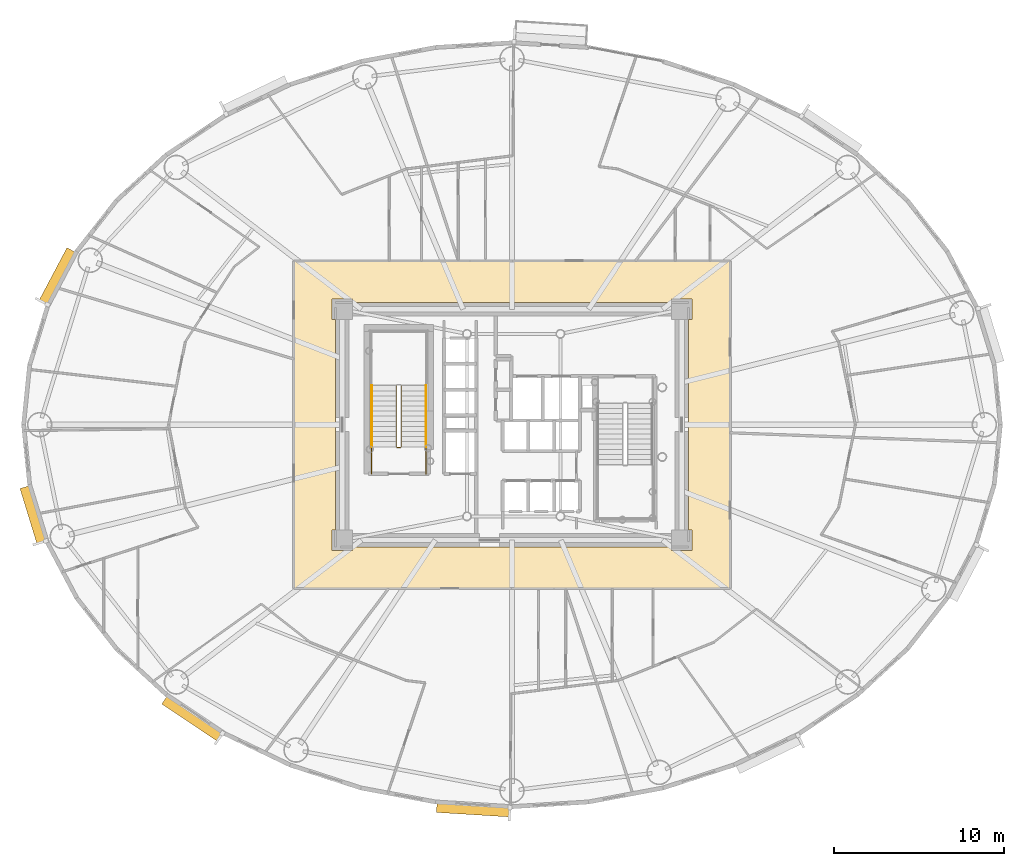
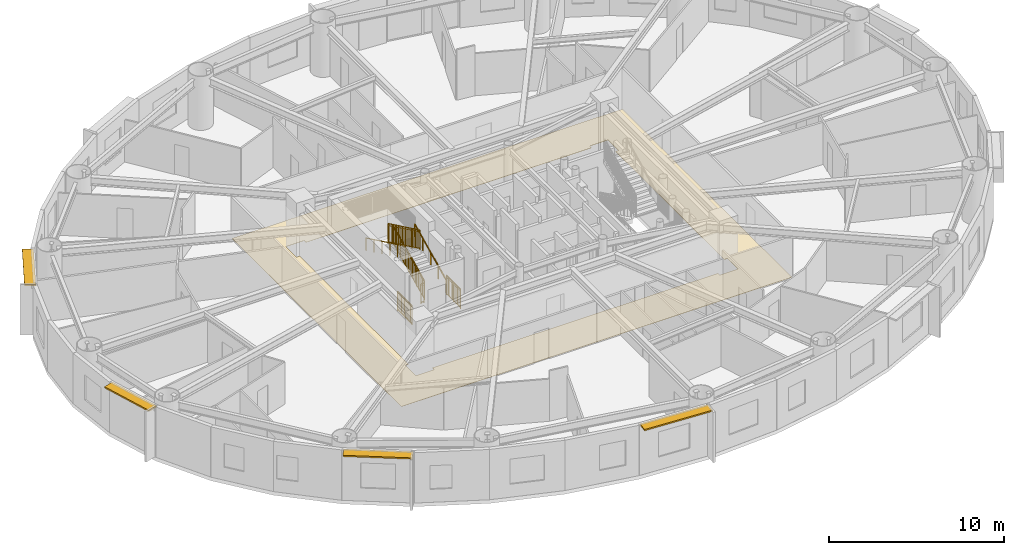
# One storey, part 12 of 16: 7 railings, 4 shading devices, 1 covering.
"""IFC4 building model written with IfcOpenShell, lengths in metres."""

from ifc_helpers import new_model, si_unit, direction, frame, origin, origin_2d, place, context, subcontext, project, spatial, polyline, rectangle, outline, extrude, source, transform, mapped, material, layer, layer_set, type_object, element, save


model = new_model("IFC4")

# Units and contexts
model_context = context("Model", 3, precision=1e-05, world=origin(), true_north=direction((0.0, 1.0)))
body_context = subcontext(model_context, "Body", "Model", "MODEL_VIEW")
ifc_project = project(units=[si_unit("LENGTHUNIT", "METRE"), si_unit("AREAUNIT", "SQUARE_METRE"), si_unit("VOLUMEUNIT", "CUBIC_METRE"), si_unit("PLANEANGLEUNIT", "RADIAN"), si_unit("MASSUNIT", "GRAM", prefix="KILO")], contexts=[model_context])

# Site, building, storey
site_placement = place(None, origin())
site = spatial("IfcSite", under=ifc_project, at=site_placement, CompositionType="ELEMENT")
building_placement = place(site_placement, origin())
building = spatial("IfcBuilding", under=site, at=building_placement, Name="Linh Dai School and Residence Tower", CompositionType="ELEMENT")
storey_placement = place(building_placement, frame((0.0, 0.0, 108.449951171875)))
storey = spatial("IfcBuildingStorey", under=building, at=storey_placement, Name="L25", CompositionType="ELEMENT", Elevation=108.449951171875)

# Covering
ifc_material_1 = material(Name="Polished Terrazzo Floor Finish", Category="masonry")
ifc_layer_1 = layer(ifc_material_1, 0.02490234375)
ifc_layer_set_1 = layer_set([ifc_layer_1], Name="Polished Terrazzo Floor Finish")
covering_type = type_object("IfcCoveringType", Name="COV-FLR-TRZ-25", PredefinedType="FLOORING", material=ifc_layer_set_1)
covering_placement = place(storey_placement, origin())
element("IfcCovering", 1, at=covering_placement, inside=storey, type_object=covering_type, Name="L25 Residential Floor Corridor Floor Finish", PredefinedType="FLOORING", context=body_context, shape_type="SweptSolid", body=[
    extrude(outline(polyline([(48.85009765625, 36.64990234375), (48.85009765625, 17.35009765625), (23.14990234375, 17.35009765625), (23.14990234375, 36.64990234375), (48.85009765625, 36.64990234375)]), holes=[polyline([(26.60009765625, 34.199951171875), (26.60009765625, 34.39990234375), (25.39990234375, 34.39990234375), (25.39990234375, 33.199951171875), (25.60009765625, 33.199951171875), (25.60009765625, 20.800048828125), (25.39990234375, 20.800048828125), (25.39990234375, 19.60009765625), (26.60009765625, 19.60009765625), (26.60009765625, 19.800048828125), (45.39990234375, 19.800048828125), (45.39990234375, 19.60009765625), (46.60009765625, 19.60009765625), (46.60009765625, 20.800048828125), (46.39990234375, 20.800048828125), (46.39990234375, 33.199951171875), (46.60009765625, 33.199951171875), (46.60009765625, 34.39990234375), (45.39990234375, 34.39990234375), (45.39990234375, 34.199951171875), (26.60009765625, 34.199951171875)])]), origin(), (0.0, 0.0, 1.0), 0.02001953125),
])

# Shading devices
ifc_material_2 = material(Name="Terracotta Ceramic Sunshade", Category="masonry")
ifc_layer_2 = layer(ifc_material_2, 0.10009765625)
ifc_layer_set_2 = layer_set([ifc_layer_2], Name="Terracotta Ceramic Sunshade")
shading_device_type = type_object("IfcShadingDeviceType", Name="SHD-TC-650", PredefinedType="USERDEFINED", material=ifc_layer_set_2)
shared_shape_1 = source(origin(), body_context, "Body", "SweptSolid", [
    extrude(rectangle(XDim=3.44384765625, YDim=0.64990234375, at=origin_2d()), origin(), (0.0, 0.0, 1.0), 0.10009765625),
])
shading_device_1_placement = place(storey_placement, frame((7.83154296875, 21.686279296875, 3.3798828125), z_axis=(0.0, 0.0, 1.0), x_axis=(-0.293133528962, 0.956071511028, 0.0)))
element("IfcShadingDevice", 2, at=shading_device_1_placement, inside=storey, type_object=shading_device_type, Name="L25 Terracotta Horizontal Sunshade Band 22", ObjectType="SUNSHADE", PredefinedType="USERDEFINED", context=body_context, shape_type="MappedRepresentation", body=[
    mapped(shared_shape_1, transform((0.0, 0.0, 0.0), x_axis=(1.0, 0.0, 0.0), y_axis=(0.0, 1.0, 0.0), z_axis=(0.0, 0.0, 1.0), scale=1.0)),
])
shared_shape_2 = source(origin(), body_context, "Body", "SweptSolid", [
    extrude(rectangle(XDim=3.96484375, YDim=0.64990234375, at=origin_2d()), origin(), (0.0, 0.0, 1.0), 0.10009765625),
])
shading_device_2_placement = place(storey_placement, frame((17.19970703125, 9.711669921875, 3.3798828125), z_axis=(0.0, 0.0, 1.0), x_axis=(-0.831240347736, 0.555913198527, 0.0)))
element("IfcShadingDevice", 3, at=shading_device_2_placement, inside=storey, type_object=shading_device_type, Name="L25 Terracotta Horizontal Sunshade Band 26", ObjectType="SUNSHADE", PredefinedType="USERDEFINED", context=body_context, shape_type="MappedRepresentation", body=[
    mapped(shared_shape_2, transform((0.0, 0.0, 0.0), x_axis=(1.0, 0.0, 0.0), y_axis=(0.0, 1.0, 0.0), z_axis=(0.0, 0.0, 1.0), scale=1.0)),
])
shared_shape_3 = source(origin(), body_context, "Body", "SweptSolid", [
    extrude(rectangle(XDim=4.33349609375, YDim=0.64990234375, at=origin_2d()), origin(), (0.0, 0.0, 1.0), 0.10009765625),
])
shading_device_3_placement = place(storey_placement, frame((33.729736328125, 4.349365234375, 3.3798828125), z_axis=(0.0, 0.0, 1.0), x_axis=(-0.998106513123, 0.061509255091, 0.0)))
element("IfcShadingDevice", 4, at=shading_device_3_placement, inside=storey, type_object=shading_device_type, Name="L25 Terracotta Horizontal Sunshade Band 30", ObjectType="SUNSHADE", PredefinedType="USERDEFINED", context=body_context, shape_type="MappedRepresentation", body=[
    mapped(shared_shape_3, transform((0.0, 0.0, 0.0), x_axis=(1.0, 0.0, 0.0), y_axis=(0.0, 1.0, 0.0), z_axis=(0.0, 0.0, 1.0), scale=1.0)),
])
shared_shape_4 = source(origin(), body_context, "Body", "SweptSolid", [
    extrude(rectangle(XDim=3.541015625, YDim=0.64990234375, at=origin_2d()), origin(), (0.0, 0.0, 1.0), 0.10009765625),
])
shading_device_4_placement = place(storey_placement, frame((9.240478515625, 35.708740234375, 3.3798828125), z_axis=(0.0, 0.0, 1.0), x_axis=(0.467596217252, 0.883942180016, 0.0)))
element("IfcShadingDevice", 5, at=shading_device_4_placement, inside=storey, type_object=shading_device_type, Name="L25 Terracotta Horizontal Sunshade Band 18", ObjectType="SUNSHADE", PredefinedType="USERDEFINED", context=body_context, shape_type="MappedRepresentation", body=[
    mapped(shared_shape_4, transform((0.0, 0.0, 0.0), x_axis=(1.0, 0.0, 0.0), y_axis=(0.0, 1.0, 0.0), z_axis=(0.0, 0.0, 1.0), scale=1.0)),
])

# Railings
ifc_material_3 = material(Name="Structural Steel S355JR", Category="steel")
railing_type_1 = type_object("IfcRailingType", Name="RL-ST-GUARD-1400", PredefinedType="GUARDRAIL", material=ifc_material_3)
shared_shape_5 = source(origin(), body_context, "Body", "SweptSolid", [
    extrude(rectangle(XDim=0.048095703125, YDim=0.048095703125, at=origin_2d()), frame((0.0, 0.0, 1.3759765625), z_axis=(-1.0, 0.0, 0.0), x_axis=(0.0, -1.0, 0.0)), (0.0, 0.0, 1.0), 0.199951171875),
    extrude(rectangle(XDim=0.048095703125, YDim=0.048095703125, at=origin_2d()), frame((0.0, 0.0, 0.10009765625), z_axis=(-1.0, 0.0, 0.0), x_axis=(0.0, -1.0, 0.0)), (0.0, 0.0, 1.0), 0.199951171875),
    extrude(rectangle(XDim=0.030029296875, YDim=0.030029296875, at=origin_2d()), frame((0.0, 0.0, 1.239990234375), z_axis=(-1.0, 0.0, 0.0), x_axis=(0.0, -1.0, 0.0)), (0.0, 0.0, 1.0), 0.199951171875),
    extrude(rectangle(XDim=0.0419921875, YDim=0.0419921875, at=origin_2d()), origin(), (0.0, 0.0, 1.0), 1.3759765625),
    extrude(rectangle(XDim=0.0419921875, YDim=0.0419921875, at=origin_2d()), frame((-0.199951171875, 0.0, 0.0)), (0.0, 0.0, 1.0), 1.3759765625),
])
railing_1_placement = place(storey_placement, frame((29.429931640625, 25.64990234375, 0.0)))
element("IfcRailing", 6, at=railing_1_placement, inside=storey, type_object=railing_type_1, Name="L25 ST1 stair guard 7", PredefinedType="GUARDRAIL", context=body_context, shape_type="MappedRepresentation", body=[
    mapped(shared_shape_5, transform((0.0, 0.0, 0.0), x_axis=(1.0, 0.0, 0.0), y_axis=(0.0, 1.0, 0.0), z_axis=(0.0, 0.0, 1.0), scale=1.0)),
])
shared_shape_6 = source(origin(), body_context, "Body", "SweptSolid", [
    extrude(rectangle(XDim=0.048095703125, YDim=0.048095703125, at=origin_2d()), frame((0.0, 0.0, 1.3759765625), z_axis=(0.0, 1.0, 0.0), x_axis=(-1.0, 0.0, 0.0)), (0.0, 0.0, 1.0), 1.599853515625),
    extrude(rectangle(XDim=0.048095703125, YDim=0.048095703125, at=origin_2d()), frame((0.0, 0.0, 0.10009765625), z_axis=(0.0, 1.0, 0.0), x_axis=(-1.0, 0.0, 0.0)), (0.0, 0.0, 1.0), 1.599853515625),
    extrude(rectangle(XDim=0.030029296875, YDim=0.030029296875, at=origin_2d()), frame((0.0, 0.0, 1.239990234375), z_axis=(0.0, 1.0, 0.0), x_axis=(-1.0, 0.0, 0.0)), (0.0, 0.0, 1.0), 1.599853515625),
    extrude(rectangle(XDim=0.02001953125, YDim=0.02001953125, at=origin_2d()), frame((0.0, 0.093994140625, 0.10009765625)), (0.0, 0.0, 1.0), 1.251708984375),
    extrude(rectangle(XDim=0.02001953125, YDim=0.02001953125, at=origin_2d()), frame((0.0, 0.188232421875, 0.10009765625)), (0.0, 0.0, 1.0), 1.251708984375),
    extrude(rectangle(XDim=0.02001953125, YDim=0.02001953125, at=origin_2d()), frame((0.0, 0.2822265625, 0.10009765625)), (0.0, 0.0, 1.0), 1.251708984375),
    extrude(rectangle(XDim=0.02001953125, YDim=0.02001953125, at=origin_2d()), frame((0.0, 0.37646484375, 0.10009765625)), (0.0, 0.0, 1.0), 1.251708984375),
    extrude(rectangle(XDim=0.02001953125, YDim=0.02001953125, at=origin_2d()), frame((0.0, 0.470458984375, 0.10009765625)), (0.0, 0.0, 1.0), 1.251708984375),
    extrude(rectangle(XDim=0.02001953125, YDim=0.02001953125, at=origin_2d()), frame((0.0, 0.564697265625, 0.10009765625)), (0.0, 0.0, 1.0), 1.251708984375),
    extrude(rectangle(XDim=0.02001953125, YDim=0.02001953125, at=origin_2d()), frame((0.0, 0.65869140625, 0.10009765625)), (0.0, 0.0, 1.0), 1.251708984375),
    extrude(rectangle(XDim=0.02001953125, YDim=0.02001953125, at=origin_2d()), frame((0.0, 0.7529296875, 0.10009765625)), (0.0, 0.0, 1.0), 1.251708984375),
    extrude(rectangle(XDim=0.02001953125, YDim=0.02001953125, at=origin_2d()), frame((0.0, 0.846923828125, 0.10009765625)), (0.0, 0.0, 1.0), 1.251708984375),
    extrude(rectangle(XDim=0.02001953125, YDim=0.02001953125, at=origin_2d()), frame((0.0, 0.941162109375, 0.10009765625)), (0.0, 0.0, 1.0), 1.251708984375),
    extrude(rectangle(XDim=0.02001953125, YDim=0.02001953125, at=origin_2d()), frame((0.0, 1.03515625, 0.10009765625)), (0.0, 0.0, 1.0), 1.251708984375),
    extrude(rectangle(XDim=0.02001953125, YDim=0.02001953125, at=origin_2d()), frame((0.0, 1.12939453125, 0.10009765625)), (0.0, 0.0, 1.0), 1.251708984375),
    extrude(rectangle(XDim=0.02001953125, YDim=0.02001953125, at=origin_2d()), frame((0.0, 1.223388671875, 0.10009765625)), (0.0, 0.0, 1.0), 1.251708984375),
    extrude(rectangle(XDim=0.02001953125, YDim=0.02001953125, at=origin_2d()), frame((0.0, 1.317626953125, 0.10009765625)), (0.0, 0.0, 1.0), 1.251708984375),
    extrude(rectangle(XDim=0.02001953125, YDim=0.02001953125, at=origin_2d()), frame((0.0, 1.41162109375, 0.10009765625)), (0.0, 0.0, 1.0), 1.251708984375),
    extrude(rectangle(XDim=0.02001953125, YDim=0.02001953125, at=origin_2d()), frame((0.0, 1.505859375, 0.10009765625)), (0.0, 0.0, 1.0), 1.251708984375),
    extrude(rectangle(XDim=0.0419921875, YDim=0.0419921875, at=origin_2d()), origin(), (0.0, 0.0, 1.0), 1.3759765625),
    extrude(rectangle(XDim=0.0419921875, YDim=0.0419921875, at=origin_2d()), frame((0.0, 0.7998046875, 0.0)), (0.0, 0.0, 1.0), 1.3759765625),
    extrude(rectangle(XDim=0.0419921875, YDim=0.0419921875, at=origin_2d()), frame((0.0, 1.599853515625, 0.0)), (0.0, 0.0, 1.0), 1.3759765625),
])
for number, where, name in (
    (7, (30.929931640625, 24.10009765625, 0.0), "L25 ST1 stair guard 8"),
    (8, (27.72998046875, 24.10009765625, 0.0), "L25 ST1 stair guard 9"),
):
    element("IfcRailing", number, at=place(storey_placement, frame(where)), inside=storey, type_object=railing_type_1, Name=name, PredefinedType="GUARDRAIL", context=body_context, shape_type="MappedRepresentation", body=[
        mapped(shared_shape_6, transform((0.0, 0.0, 0.0), x_axis=(1.0, 0.0, 0.0), y_axis=(0.0, 1.0, 0.0), z_axis=(0.0, 0.0, 1.0), scale=1.0)),
    ])
shared_shape_7 = source(origin(), body_context, "Body", "SweptSolid", [
    extrude(rectangle(XDim=0.048095703125, YDim=0.048095703125, at=origin_2d()), frame((0.0, 0.0, 1.3759765625), z_axis=(0.0, 0.901262522062, 0.433273431364), x_axis=(-1.0, 0.0, 0.0)), (0.0, 0.0, 1.0), 3.994384765625),
    extrude(rectangle(XDim=0.048095703125, YDim=0.048095703125, at=origin_2d()), frame((0.0, 0.0, 0.10009765625), z_axis=(0.0, 0.901262522062, 0.433273431364), x_axis=(-1.0, 0.0, 0.0)), (0.0, 0.0, 1.0), 3.994384765625),
    extrude(rectangle(XDim=0.030029296875, YDim=0.030029296875, at=origin_2d()), frame((0.0, 0.0, 1.239990234375), z_axis=(0.0, 0.901262522062, 0.433273431364), x_axis=(-1.0, 0.0, 0.0)), (0.0, 0.0, 1.0), 3.994384765625),
    extrude(rectangle(XDim=0.02001953125, YDim=0.02001953125, at=origin_2d()), frame((0.0, 0.087890625, 0.142333984375)), (0.0, 0.0, 1.0), 1.251708984375),
    extrude(rectangle(XDim=0.02001953125, YDim=0.02001953125, at=origin_2d()), frame((0.0, 0.175537109375, 0.1845703125)), (0.0, 0.0, 1.0), 1.251708984375),
    extrude(rectangle(XDim=0.02001953125, YDim=0.02001953125, at=origin_2d()), frame((0.0, 0.263427734375, 0.226806640625)), (0.0, 0.0, 1.0), 1.251708984375),
    extrude(rectangle(XDim=0.02001953125, YDim=0.02001953125, at=origin_2d()), frame((0.0, 0.351318359375, 0.26904296875)), (0.0, 0.0, 1.0), 1.251708984375),
    extrude(rectangle(XDim=0.02001953125, YDim=0.02001953125, at=origin_2d()), frame((0.0, 0.43896484375, 0.311279296875)), (0.0, 0.0, 1.0), 1.251708984375),
    extrude(rectangle(XDim=0.02001953125, YDim=0.02001953125, at=origin_2d()), frame((0.0, 0.52685546875, 0.353271484375)), (0.0, 0.0, 1.0), 1.251708984375),
    extrude(rectangle(XDim=0.02001953125, YDim=0.02001953125, at=origin_2d()), frame((0.0, 0.61474609375, 0.3955078125)), (0.0, 0.0, 1.0), 1.251708984375),
    extrude(rectangle(XDim=0.02001953125, YDim=0.02001953125, at=origin_2d()), frame((0.0, 0.702392578125, 0.437744140625)), (0.0, 0.0, 1.0), 1.251708984375),
    extrude(rectangle(XDim=0.02001953125, YDim=0.02001953125, at=origin_2d()), frame((0.0, 0.790283203125, 0.47998046875)), (0.0, 0.0, 1.0), 1.251708984375),
    extrude(rectangle(XDim=0.02001953125, YDim=0.02001953125, at=origin_2d()), frame((0.0, 0.9658203125, 0.564453125)), (0.0, 0.0, 1.0), 1.251708984375),
    extrude(rectangle(XDim=0.02001953125, YDim=0.02001953125, at=origin_2d()), frame((0.0, 1.0537109375, 0.606689453125)), (0.0, 0.0, 1.0), 1.251708984375),
    extrude(rectangle(XDim=0.02001953125, YDim=0.02001953125, at=origin_2d()), frame((0.0, 1.1416015625, 0.64892578125)), (0.0, 0.0, 1.0), 1.251708984375),
    extrude(rectangle(XDim=0.02001953125, YDim=0.02001953125, at=origin_2d()), frame((0.0, 1.229248046875, 0.691162109375)), (0.0, 0.0, 1.0), 1.251708984375),
    extrude(rectangle(XDim=0.02001953125, YDim=0.02001953125, at=origin_2d()), frame((0.0, 1.317138671875, 0.7333984375)), (0.0, 0.0, 1.0), 1.251708984375),
    extrude(rectangle(XDim=0.02001953125, YDim=0.02001953125, at=origin_2d()), frame((0.0, 1.405029296875, 0.775390625)), (0.0, 0.0, 1.0), 1.251708984375),
    extrude(rectangle(XDim=0.02001953125, YDim=0.02001953125, at=origin_2d()), frame((0.0, 1.49267578125, 0.817626953125)), (0.0, 0.0, 1.0), 1.251708984375),
    extrude(rectangle(XDim=0.02001953125, YDim=0.02001953125, at=origin_2d()), frame((0.0, 1.58056640625, 0.85986328125)), (0.0, 0.0, 1.0), 1.251708984375),
    extrude(rectangle(XDim=0.02001953125, YDim=0.02001953125, at=origin_2d()), frame((0.0, 1.66845703125, 0.902099609375)), (0.0, 0.0, 1.0), 1.251708984375),
    extrude(rectangle(XDim=0.02001953125, YDim=0.02001953125, at=origin_2d()), frame((0.0, 1.756103515625, 0.9443359375)), (0.0, 0.0, 1.0), 1.251708984375),
    extrude(rectangle(XDim=0.02001953125, YDim=0.02001953125, at=origin_2d()), frame((0.0, 1.843994140625, 0.986572265625)), (0.0, 0.0, 1.0), 1.251708984375),
    extrude(rectangle(XDim=0.02001953125, YDim=0.02001953125, at=origin_2d()), frame((0.0, 1.931640625, 1.02880859375)), (0.0, 0.0, 1.0), 1.251708984375),
    extrude(rectangle(XDim=0.02001953125, YDim=0.02001953125, at=origin_2d()), frame((0.0, 2.01953125, 1.071044921875)), (0.0, 0.0, 1.0), 1.251708984375),
    extrude(rectangle(XDim=0.02001953125, YDim=0.02001953125, at=origin_2d()), frame((0.0, 2.107421875, 1.11328125)), (0.0, 0.0, 1.0), 1.251708984375),
    extrude(rectangle(XDim=0.02001953125, YDim=0.02001953125, at=origin_2d()), frame((0.0, 2.195068359375, 1.155517578125)), (0.0, 0.0, 1.0), 1.251708984375),
    extrude(rectangle(XDim=0.02001953125, YDim=0.02001953125, at=origin_2d()), frame((0.0, 2.282958984375, 1.197509765625)), (0.0, 0.0, 1.0), 1.251708984375),
    extrude(rectangle(XDim=0.02001953125, YDim=0.02001953125, at=origin_2d()), frame((0.0, 2.370849609375, 1.23974609375)), (0.0, 0.0, 1.0), 1.251708984375),
    extrude(rectangle(XDim=0.02001953125, YDim=0.02001953125, at=origin_2d()), frame((0.0, 2.45849609375, 1.281982421875)), (0.0, 0.0, 1.0), 1.251708984375),
    extrude(rectangle(XDim=0.02001953125, YDim=0.02001953125, at=origin_2d()), frame((0.0, 2.54638671875, 1.32421875)), (0.0, 0.0, 1.0), 1.251708984375),
    extrude(rectangle(XDim=0.02001953125, YDim=0.02001953125, at=origin_2d()), frame((0.0, 2.63427734375, 1.366455078125)), (0.0, 0.0, 1.0), 1.251708984375),
    extrude(rectangle(XDim=0.02001953125, YDim=0.02001953125, at=origin_2d()), frame((0.0, 2.809814453125, 1.450927734375)), (0.0, 0.0, 1.0), 1.251708984375),
    extrude(rectangle(XDim=0.02001953125, YDim=0.02001953125, at=origin_2d()), frame((0.0, 2.897705078125, 1.4931640625)), (0.0, 0.0, 1.0), 1.251708984375),
    extrude(rectangle(XDim=0.02001953125, YDim=0.02001953125, at=origin_2d()), frame((0.0, 2.9853515625, 1.535400390625)), (0.0, 0.0, 1.0), 1.251708984375),
    extrude(rectangle(XDim=0.02001953125, YDim=0.02001953125, at=origin_2d()), frame((0.0, 3.0732421875, 1.57763671875)), (0.0, 0.0, 1.0), 1.251708984375),
    extrude(rectangle(XDim=0.02001953125, YDim=0.02001953125, at=origin_2d()), frame((0.0, 3.1611328125, 1.61962890625)), (0.0, 0.0, 1.0), 1.251708984375),
    extrude(rectangle(XDim=0.02001953125, YDim=0.02001953125, at=origin_2d()), frame((0.0, 3.248779296875, 1.661865234375)), (0.0, 0.0, 1.0), 1.251708984375),
    extrude(rectangle(XDim=0.02001953125, YDim=0.02001953125, at=origin_2d()), frame((0.0, 3.336669921875, 1.7041015625)), (0.0, 0.0, 1.0), 1.251708984375),
    extrude(rectangle(XDim=0.02001953125, YDim=0.02001953125, at=origin_2d()), frame((0.0, 3.424560546875, 1.746337890625)), (0.0, 0.0, 1.0), 1.251708984375),
    extrude(rectangle(XDim=0.02001953125, YDim=0.02001953125, at=origin_2d()), frame((0.0, 3.51220703125, 1.78857421875)), (0.0, 0.0, 1.0), 1.251708984375),
    extrude(rectangle(XDim=0.0419921875, YDim=0.0419921875, at=origin_2d()), origin(), (0.0, 0.0, 1.0), 1.3759765625),
    extrude(rectangle(XDim=0.0419921875, YDim=0.0419921875, at=origin_2d()), frame((0.0, 0.89990234375, 0.4326171875)), (0.0, 0.0, 1.0), 1.3759765625),
    extrude(rectangle(XDim=0.0419921875, YDim=0.0419921875, at=origin_2d()), frame((0.0, 1.800048828125, 0.865234375)), (0.0, 0.0, 1.0), 1.3759765625),
    extrude(rectangle(XDim=0.0419921875, YDim=0.0419921875, at=origin_2d()), frame((0.0, 2.7001953125, 1.298095703125)), (0.0, 0.0, 1.0), 1.3759765625),
    extrude(rectangle(XDim=0.0419921875, YDim=0.0419921875, at=origin_2d()), frame((0.0, 3.60009765625, 1.730712890625)), (0.0, 0.0, 1.0), 1.3759765625),
])
railing_2_placement = place(storey_placement, frame((29.47998046875, 25.699951171875, 0.144287109375)))
element("IfcRailing", 9, at=railing_2_placement, inside=storey, type_object=railing_type_1, Name="L25 ST1 stair guard 1", PredefinedType="GUARDRAIL", context=body_context, shape_type="MappedRepresentation", body=[
    mapped(shared_shape_7, transform((0.0, 0.0, 0.0), x_axis=(1.0, 0.0, 0.0), y_axis=(0.0, 1.0, 0.0), z_axis=(0.0, 0.0, 1.0), scale=1.0)),
])
shared_shape_8 = source(origin(), body_context, "Body", "SweptSolid", [
    extrude(rectangle(XDim=0.048095703125, YDim=0.048095703125, at=origin_2d()), frame((0.0, 0.0, 1.3759765625), z_axis=(0.0, -0.901262522062, 0.433273431364), x_axis=(1.0, 0.0, 0.0)), (0.0, 0.0, 1.0), 3.994384765625),
    extrude(rectangle(XDim=0.048095703125, YDim=0.048095703125, at=origin_2d()), frame((0.0, 0.0, 0.10009765625), z_axis=(0.0, -0.901262522062, 0.433273431364), x_axis=(1.0, 0.0, 0.0)), (0.0, 0.0, 1.0), 3.994384765625),
    extrude(rectangle(XDim=0.030029296875, YDim=0.030029296875, at=origin_2d()), frame((0.0, 0.0, 1.239990234375), z_axis=(0.0, -0.901262522062, 0.433273431364), x_axis=(1.0, 0.0, 0.0)), (0.0, 0.0, 1.0), 3.994384765625),
    extrude(rectangle(XDim=0.02001953125, YDim=0.02001953125, at=origin_2d()), frame((0.0, -0.087890625, 0.142333984375)), (0.0, 0.0, 1.0), 1.251708984375),
    extrude(rectangle(XDim=0.02001953125, YDim=0.02001953125, at=origin_2d()), frame((0.0, -0.175537109375, 0.1845703125)), (0.0, 0.0, 1.0), 1.251708984375),
    extrude(rectangle(XDim=0.02001953125, YDim=0.02001953125, at=origin_2d()), frame((0.0, -0.263427734375, 0.226806640625)), (0.0, 0.0, 1.0), 1.251708984375),
    extrude(rectangle(XDim=0.02001953125, YDim=0.02001953125, at=origin_2d()), frame((0.0, -0.351318359375, 0.26904296875)), (0.0, 0.0, 1.0), 1.251708984375),
    extrude(rectangle(XDim=0.02001953125, YDim=0.02001953125, at=origin_2d()), frame((0.0, -0.43896484375, 0.311279296875)), (0.0, 0.0, 1.0), 1.251708984375),
    extrude(rectangle(XDim=0.02001953125, YDim=0.02001953125, at=origin_2d()), frame((0.0, -0.52685546875, 0.353271484375)), (0.0, 0.0, 1.0), 1.251708984375),
    extrude(rectangle(XDim=0.02001953125, YDim=0.02001953125, at=origin_2d()), frame((0.0, -0.61474609375, 0.3955078125)), (0.0, 0.0, 1.0), 1.251708984375),
    extrude(rectangle(XDim=0.02001953125, YDim=0.02001953125, at=origin_2d()), frame((0.0, -0.702392578125, 0.437744140625)), (0.0, 0.0, 1.0), 1.251708984375),
    extrude(rectangle(XDim=0.02001953125, YDim=0.02001953125, at=origin_2d()), frame((0.0, -0.790283203125, 0.47998046875)), (0.0, 0.0, 1.0), 1.251708984375),
    extrude(rectangle(XDim=0.02001953125, YDim=0.02001953125, at=origin_2d()), frame((0.0, -0.9658203125, 0.564453125)), (0.0, 0.0, 1.0), 1.251708984375),
    extrude(rectangle(XDim=0.02001953125, YDim=0.02001953125, at=origin_2d()), frame((0.0, -1.0537109375, 0.606689453125)), (0.0, 0.0, 1.0), 1.251708984375),
    extrude(rectangle(XDim=0.02001953125, YDim=0.02001953125, at=origin_2d()), frame((0.0, -1.1416015625, 0.64892578125)), (0.0, 0.0, 1.0), 1.251708984375),
    extrude(rectangle(XDim=0.02001953125, YDim=0.02001953125, at=origin_2d()), frame((0.0, -1.229248046875, 0.691162109375)), (0.0, 0.0, 1.0), 1.251708984375),
    extrude(rectangle(XDim=0.02001953125, YDim=0.02001953125, at=origin_2d()), frame((0.0, -1.317138671875, 0.7333984375)), (0.0, 0.0, 1.0), 1.251708984375),
    extrude(rectangle(XDim=0.02001953125, YDim=0.02001953125, at=origin_2d()), frame((0.0, -1.405029296875, 0.775390625)), (0.0, 0.0, 1.0), 1.251708984375),
    extrude(rectangle(XDim=0.02001953125, YDim=0.02001953125, at=origin_2d()), frame((0.0, -1.49267578125, 0.817626953125)), (0.0, 0.0, 1.0), 1.251708984375),
    extrude(rectangle(XDim=0.02001953125, YDim=0.02001953125, at=origin_2d()), frame((0.0, -1.58056640625, 0.85986328125)), (0.0, 0.0, 1.0), 1.251708984375),
    extrude(rectangle(XDim=0.02001953125, YDim=0.02001953125, at=origin_2d()), frame((0.0, -1.66845703125, 0.902099609375)), (0.0, 0.0, 1.0), 1.251708984375),
    extrude(rectangle(XDim=0.02001953125, YDim=0.02001953125, at=origin_2d()), frame((0.0, -1.756103515625, 0.9443359375)), (0.0, 0.0, 1.0), 1.251708984375),
    extrude(rectangle(XDim=0.02001953125, YDim=0.02001953125, at=origin_2d()), frame((0.0, -1.843994140625, 0.986572265625)), (0.0, 0.0, 1.0), 1.251708984375),
    extrude(rectangle(XDim=0.02001953125, YDim=0.02001953125, at=origin_2d()), frame((0.0, -1.931640625, 1.02880859375)), (0.0, 0.0, 1.0), 1.251708984375),
    extrude(rectangle(XDim=0.02001953125, YDim=0.02001953125, at=origin_2d()), frame((0.0, -2.01953125, 1.071044921875)), (0.0, 0.0, 1.0), 1.251708984375),
    extrude(rectangle(XDim=0.02001953125, YDim=0.02001953125, at=origin_2d()), frame((0.0, -2.107421875, 1.11328125)), (0.0, 0.0, 1.0), 1.251708984375),
    extrude(rectangle(XDim=0.02001953125, YDim=0.02001953125, at=origin_2d()), frame((0.0, -2.195068359375, 1.155517578125)), (0.0, 0.0, 1.0), 1.251708984375),
    extrude(rectangle(XDim=0.02001953125, YDim=0.02001953125, at=origin_2d()), frame((0.0, -2.282958984375, 1.197509765625)), (0.0, 0.0, 1.0), 1.251708984375),
    extrude(rectangle(XDim=0.02001953125, YDim=0.02001953125, at=origin_2d()), frame((0.0, -2.370849609375, 1.23974609375)), (0.0, 0.0, 1.0), 1.251708984375),
    extrude(rectangle(XDim=0.02001953125, YDim=0.02001953125, at=origin_2d()), frame((0.0, -2.45849609375, 1.281982421875)), (0.0, 0.0, 1.0), 1.251708984375),
    extrude(rectangle(XDim=0.02001953125, YDim=0.02001953125, at=origin_2d()), frame((0.0, -2.54638671875, 1.32421875)), (0.0, 0.0, 1.0), 1.251708984375),
    extrude(rectangle(XDim=0.02001953125, YDim=0.02001953125, at=origin_2d()), frame((0.0, -2.63427734375, 1.366455078125)), (0.0, 0.0, 1.0), 1.251708984375),
    extrude(rectangle(XDim=0.02001953125, YDim=0.02001953125, at=origin_2d()), frame((0.0, -2.809814453125, 1.450927734375)), (0.0, 0.0, 1.0), 1.251708984375),
    extrude(rectangle(XDim=0.02001953125, YDim=0.02001953125, at=origin_2d()), frame((0.0, -2.897705078125, 1.4931640625)), (0.0, 0.0, 1.0), 1.251708984375),
    extrude(rectangle(XDim=0.02001953125, YDim=0.02001953125, at=origin_2d()), frame((0.0, -2.9853515625, 1.535400390625)), (0.0, 0.0, 1.0), 1.251708984375),
    extrude(rectangle(XDim=0.02001953125, YDim=0.02001953125, at=origin_2d()), frame((0.0, -3.0732421875, 1.57763671875)), (0.0, 0.0, 1.0), 1.251708984375),
    extrude(rectangle(XDim=0.02001953125, YDim=0.02001953125, at=origin_2d()), frame((0.0, -3.1611328125, 1.61962890625)), (0.0, 0.0, 1.0), 1.251708984375),
    extrude(rectangle(XDim=0.02001953125, YDim=0.02001953125, at=origin_2d()), frame((0.0, -3.248779296875, 1.661865234375)), (0.0, 0.0, 1.0), 1.251708984375),
    extrude(rectangle(XDim=0.02001953125, YDim=0.02001953125, at=origin_2d()), frame((0.0, -3.336669921875, 1.7041015625)), (0.0, 0.0, 1.0), 1.251708984375),
    extrude(rectangle(XDim=0.02001953125, YDim=0.02001953125, at=origin_2d()), frame((0.0, -3.424560546875, 1.746337890625)), (0.0, 0.0, 1.0), 1.251708984375),
    extrude(rectangle(XDim=0.02001953125, YDim=0.02001953125, at=origin_2d()), frame((0.0, -3.51220703125, 1.78857421875)), (0.0, 0.0, 1.0), 1.251708984375),
    extrude(rectangle(XDim=0.0419921875, YDim=0.0419921875, at=origin_2d()), origin(), (0.0, 0.0, 1.0), 1.3759765625),
    extrude(rectangle(XDim=0.0419921875, YDim=0.0419921875, at=origin_2d()), frame((0.0, -0.89990234375, 0.4326171875)), (0.0, 0.0, 1.0), 1.3759765625),
    extrude(rectangle(XDim=0.0419921875, YDim=0.0419921875, at=origin_2d()), frame((0.0, -1.800048828125, 0.865234375)), (0.0, 0.0, 1.0), 1.3759765625),
    extrude(rectangle(XDim=0.0419921875, YDim=0.0419921875, at=origin_2d()), frame((0.0, -2.7001953125, 1.298095703125)), (0.0, 0.0, 1.0), 1.3759765625),
    extrude(rectangle(XDim=0.0419921875, YDim=0.0419921875, at=origin_2d()), frame((0.0, -3.60009765625, 1.730712890625)), (0.0, 0.0, 1.0), 1.3759765625),
])
railing_3_placement = place(storey_placement, frame((29.179931640625, 29.300048828125, 2.019287109375)))
element("IfcRailing", 10, at=railing_3_placement, inside=storey, type_object=railing_type_1, Name="L25 ST1 stair guard 6", PredefinedType="GUARDRAIL", context=body_context, shape_type="MappedRepresentation", body=[
    mapped(shared_shape_8, transform((0.0, 0.0, 0.0), x_axis=(1.0, 0.0, 0.0), y_axis=(0.0, 1.0, 0.0), z_axis=(0.0, 0.0, 1.0), scale=1.0)),
])
ifc_material_4 = material(Name="Brushed Stainless Steel Handrail", Category="steel")
railing_type_2 = type_object("IfcRailingType", Name="RL-ST-HANDRAIL-900", PredefinedType="HANDRAIL", material=ifc_material_4)
shared_shape_9 = source(origin(), body_context, "Body", "SweptSolid", [
    extrude(rectangle(XDim=0.048095703125, YDim=0.048095703125, at=origin_2d()), frame((0.0, 0.0, 0.8759765625), z_axis=(0.0, 0.901262522062, 0.433273431364), x_axis=(-1.0, 0.0, 0.0)), (0.0, 0.0, 1.0), 3.994384765625),
    extrude(rectangle(XDim=0.0419921875, YDim=0.0419921875, at=origin_2d()), origin(), (0.0, 0.0, 1.0), 0.8759765625),
    extrude(rectangle(XDim=0.0419921875, YDim=0.0419921875, at=origin_2d()), frame((0.0, 0.89990234375, 0.4326171875)), (0.0, 0.0, 1.0), 0.8759765625),
    extrude(rectangle(XDim=0.0419921875, YDim=0.0419921875, at=origin_2d()), frame((0.0, 1.800048828125, 0.865234375)), (0.0, 0.0, 1.0), 0.8759765625),
    extrude(rectangle(XDim=0.0419921875, YDim=0.0419921875, at=origin_2d()), frame((0.0, 2.7001953125, 1.298095703125)), (0.0, 0.0, 1.0), 0.8759765625),
    extrude(rectangle(XDim=0.0419921875, YDim=0.0419921875, at=origin_2d()), frame((0.0, 3.60009765625, 1.730712890625)), (0.0, 0.0, 1.0), 0.8759765625),
])
railing_4_placement = place(storey_placement, frame((30.929931640625, 25.699951171875, 0.144287109375)))
element("IfcRailing", 11, at=railing_4_placement, inside=storey, type_object=railing_type_2, Name="L25 ST1 stair handrail 1", PredefinedType="HANDRAIL", context=body_context, shape_type="MappedRepresentation", body=[
    mapped(shared_shape_9, transform((0.0, 0.0, 0.0), x_axis=(1.0, 0.0, 0.0), y_axis=(0.0, 1.0, 0.0), z_axis=(0.0, 0.0, 1.0), scale=1.0)),
])
shared_shape_10 = source(origin(), body_context, "Body", "SweptSolid", [
    extrude(rectangle(XDim=0.048095703125, YDim=0.048095703125, at=origin_2d()), frame((0.0, 0.0, 0.8759765625), z_axis=(0.0, -0.901262522062, 0.433273431364), x_axis=(1.0, 0.0, 0.0)), (0.0, 0.0, 1.0), 3.994384765625),
    extrude(rectangle(XDim=0.0419921875, YDim=0.0419921875, at=origin_2d()), origin(), (0.0, 0.0, 1.0), 0.8759765625),
    extrude(rectangle(XDim=0.0419921875, YDim=0.0419921875, at=origin_2d()), frame((0.0, -0.89990234375, 0.4326171875)), (0.0, 0.0, 1.0), 0.8759765625),
    extrude(rectangle(XDim=0.0419921875, YDim=0.0419921875, at=origin_2d()), frame((0.0, -1.800048828125, 0.865234375)), (0.0, 0.0, 1.0), 0.8759765625),
    extrude(rectangle(XDim=0.0419921875, YDim=0.0419921875, at=origin_2d()), frame((0.0, -2.7001953125, 1.298095703125)), (0.0, 0.0, 1.0), 0.8759765625),
    extrude(rectangle(XDim=0.0419921875, YDim=0.0419921875, at=origin_2d()), frame((0.0, -3.60009765625, 1.730712890625)), (0.0, 0.0, 1.0), 0.8759765625),
])
railing_5_placement = place(storey_placement, frame((27.72998046875, 29.300048828125, 2.019287109375)))
element("IfcRailing", 12, at=railing_5_placement, inside=storey, type_object=railing_type_2, Name="L25 ST1 stair handrail 2", PredefinedType="HANDRAIL", context=body_context, shape_type="MappedRepresentation", body=[
    mapped(shared_shape_10, transform((0.0, 0.0, 0.0), x_axis=(1.0, 0.0, 0.0), y_axis=(0.0, 1.0, 0.0), z_axis=(0.0, 0.0, 1.0), scale=1.0)),
])

save(model, "model.ifc")
